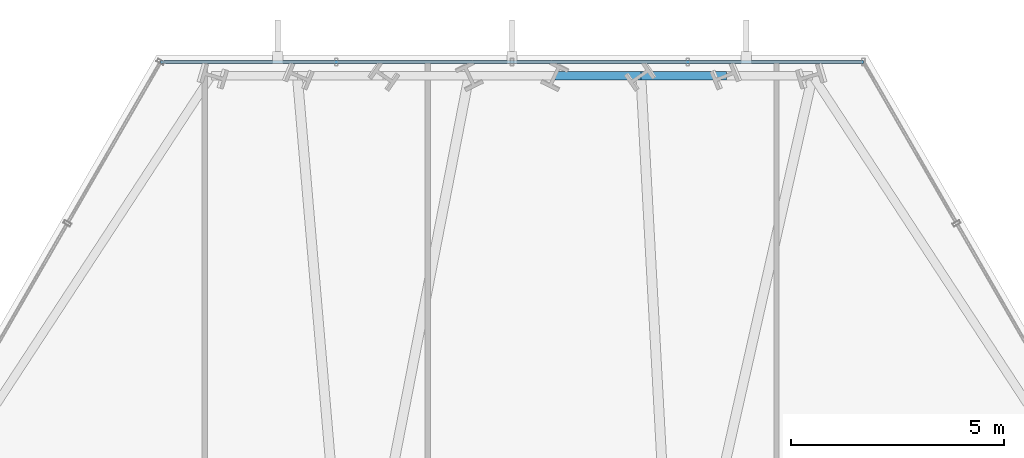
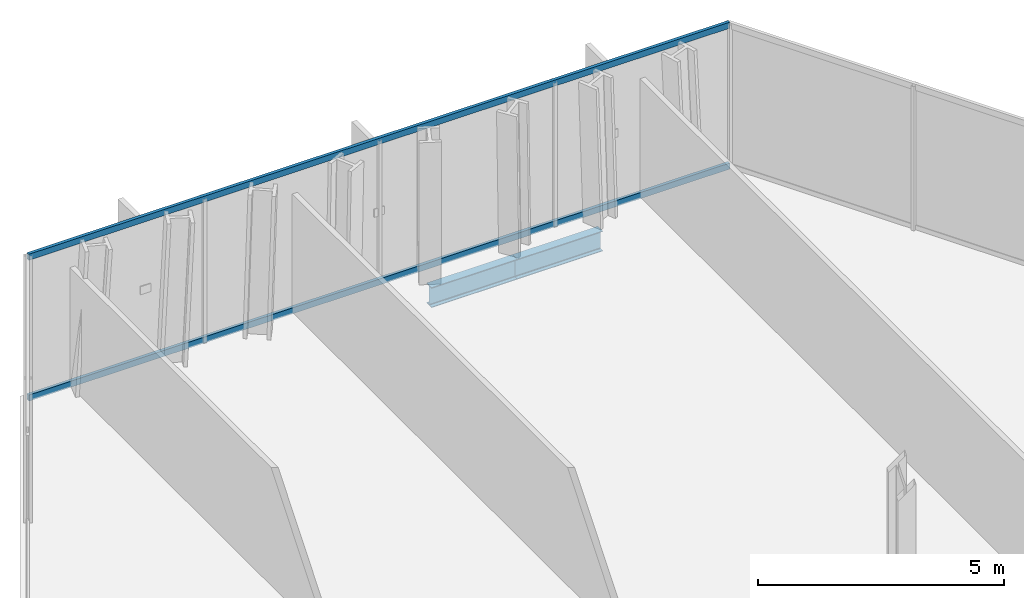
# One storey, part 23 of 33: 2 beams, 2 members, 1 element without a shape of its own.
"""IFC4 building model written with IfcOpenShell, lengths in metres."""

from ifc_helpers import new_model, si_unit, direction, frame, origin, origin_2d, place, context, subcontext, project, spatial, hollow_rectangle, i_section, extrude, material, layer, layer_set, material_profile, profile_set, type_object, element, aggregate, save


model = new_model("IFC4")

# Units and contexts
model_context = context("Model", 3, precision=1e-05, world=origin(), true_north=direction((0.0, 1.0)))
body_context = subcontext(model_context, "Body", "Model", "MODEL_VIEW")
ifc_project = project(units=[si_unit("LENGTHUNIT", "METRE"), si_unit("AREAUNIT", "SQUARE_METRE"), si_unit("VOLUMEUNIT", "CUBIC_METRE"), si_unit("PLANEANGLEUNIT", "RADIAN"), si_unit("MASSUNIT", "GRAM", prefix="KILO")], contexts=[model_context])

# Site, building, storey
site_placement = place(None, origin())
site = spatial("IfcSite", under=ifc_project, at=site_placement, CompositionType="ELEMENT")
building_placement = place(site_placement, origin())
building = spatial("IfcBuilding", under=site, at=building_placement, Name="Ndaravel Arena Tower", CompositionType="ELEMENT")
storey_placement = place(building_placement, frame((0.0, 0.0, 43.60009765625)))
storey = spatial("IfcBuildingStorey", under=building, at=storey_placement, Name="L08", CompositionType="ELEMENT", Elevation=43.60009765625)

# Beams
ifc_material_1 = material(Name="Steel S355", Category="steel")
ifc_material_profile_1 = material_profile(ifc_material_1, i_section(OverallWidth=0.199951171875, OverallDepth=0.5, WebThickness=0.01025390625, FlangeThickness=0.01611328125, FilletRadius=0.02099609375, at=origin_2d()), Name="IPE 500")
ifc_profile_set_1 = profile_set([ifc_material_profile_1], Name="Steel S355")
beam_type = type_object("IfcBeamType", Name="BM-SPAN-IPE500", PredefinedType="SPANDREL", material=ifc_profile_set_1)
for number, where, z_axis, x_axis, name in (
    (1, (47.03369140625, 45.590087890625, -0.47021484375), (-1.0, 0.0, 0.0), (0.0, -1.0, 0.0), "L08 Perimeter Spandrel Beam SP-12"),
    (2, (45.020263671875, 45.590087890625, -0.47021484375), (-1.0, 0.0, 0.0), (0.0, -1.0, 0.0), "L08 Perimeter Spandrel Beam SP-13"),
):
    element("IfcBeam", number, at=place(storey_placement, frame(where, z_axis=z_axis, x_axis=x_axis)), inside=storey, type_object=beam_type, Name=name, PredefinedType="SPANDREL", context=body_context, shape_type="SweptSolid", body=[
        extrude(i_section(OverallWidth=0.199951171875, OverallDepth=0.5, WebThickness=0.01025390625, FlangeThickness=0.01611328125, FilletRadius=0.02099609375, at=origin_2d()), origin(), (0.0, 0.0, 1.0), 2.013427734375),
    ])

# Curtain wall, members
ifc_material_2 = material(Name="Aluminium", Category="aluminium")
ifc_layer = layer(ifc_material_2, 0.179931640625)
ifc_layer_set = layer_set([ifc_layer], Name="Aluminium")
curtain_wall_type = type_object("IfcCurtainWallType", Name="CW-SYS-01", PredefinedType="NOTDEFINED", material=ifc_layer_set)
curtain_wall_placement = place(storey_placement, origin())
curtain_wall = element("IfcCurtainWall", 3, at=curtain_wall_placement, inside=storey, type_object=curtain_wall_type, Name="L08 Faceted Crystal Curtain Wall CW-L08-E04", PredefinedType="NOTDEFINED")
ifc_material_3 = material(Name="Aluminium", Category="aluminium")
ifc_material_profile_2 = material_profile(ifc_material_3, hollow_rectangle(XDim=0.074951171875, YDim=0.14990234375, WallThickness=0.00390625, at=origin_2d()), Name="CW TRANSOM 75x150x4")
ifc_profile_set_2 = profile_set([ifc_material_profile_2], Name="Aluminium")
member_type = type_object("IfcMemberType", Name="MEM-CW-TRN150", PredefinedType="USERDEFINED", material=ifc_profile_set_2)
member_1_placement = place(storey_placement, frame((50.23876953125, 45.909912109375, 0.039794921875), z_axis=(-1.0, 0.0, 0.0), x_axis=(0.0, -1.0, 0.0)))
member_1 = element("IfcMember", 4, at=member_1_placement, type_object=member_type, Name="CW-L08-E04 Transom 01", ObjectType="TRANSOM", PredefinedType="USERDEFINED", context=body_context, shape_type="SweptSolid", body=[
    extrude(hollow_rectangle(XDim=0.074951171875, YDim=0.14990234375, WallThickness=0.00390625, at=origin_2d()), origin(), (0.0, 0.0, 1.0), 16.4775390625),
])
member_2_placement = place(storey_placement, frame((50.23876953125, 45.909912109375, 3.539794921875), z_axis=(-1.0, 0.0, 0.0), x_axis=(0.0, -1.0, 0.0)))
member_2 = element("IfcMember", 5, at=member_2_placement, type_object=member_type, Name="CW-L08-E04 Transom 02", ObjectType="TRANSOM", PredefinedType="USERDEFINED", context=body_context, shape_type="SweptSolid", body=[
    extrude(hollow_rectangle(XDim=0.074951171875, YDim=0.14990234375, WallThickness=0.00390625, at=origin_2d()), origin(), (0.0, 0.0, 1.0), 16.4775390625),
])
aggregate(curtain_wall, [member_1, member_2])

save(model, "model.ifc")
